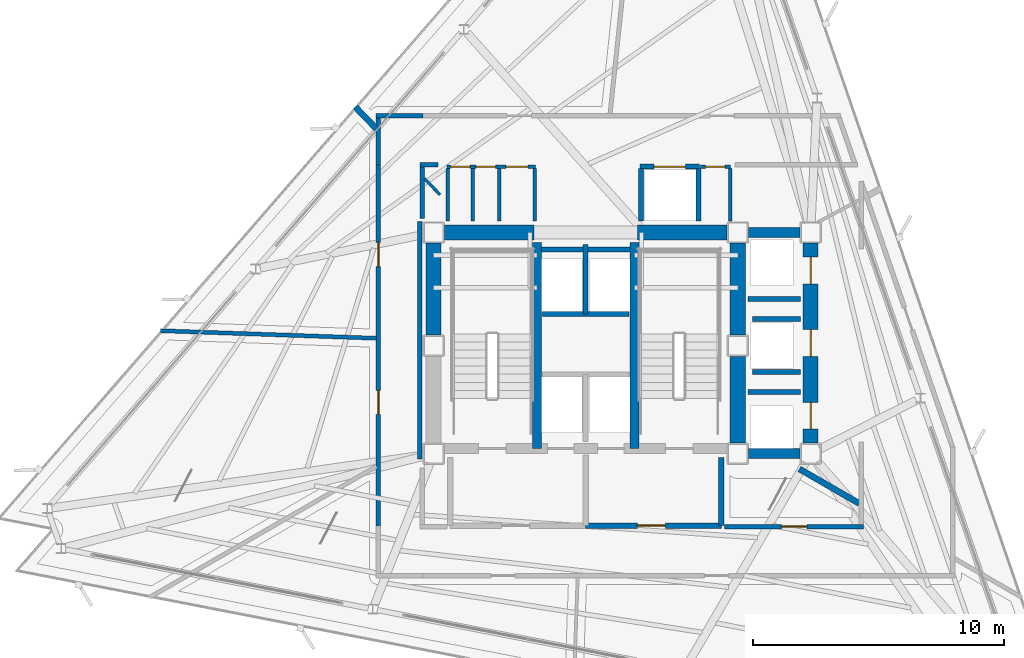
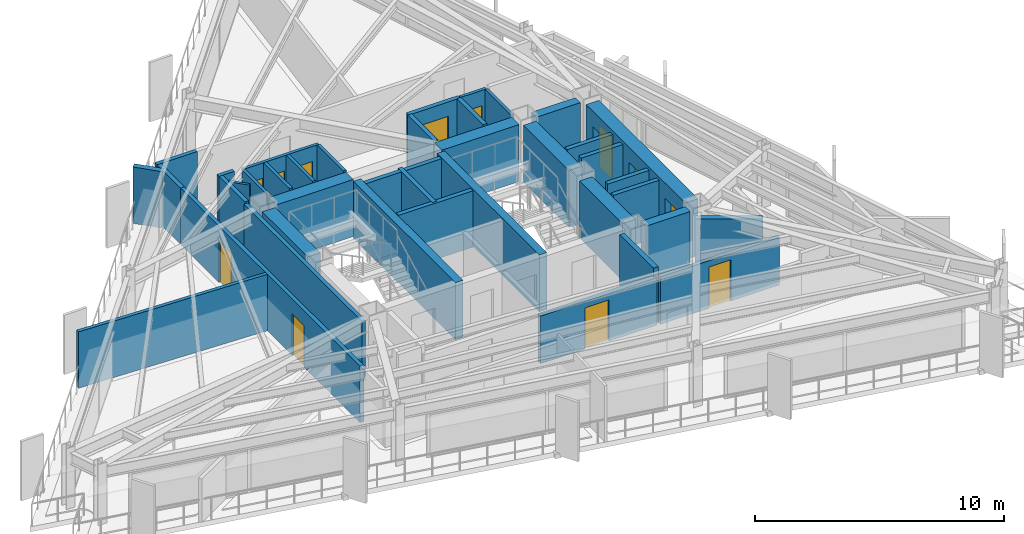
# One storey, part 9 of 13: 40 walls, 12 doors, 12 openings.
"""IFC4 building model written with IfcOpenShell, lengths in metres."""

from ifc_helpers import new_model, si_unit, direction, frame, frame_2d, origin, place, context, subcontext, project, spatial, rectangle, extrude, material, layer, layer_set, type_object, element, fill, save


model = new_model("IFC4")

# Units and contexts
model_context = context("Model", 3, precision=1e-05, world=origin(), true_north=direction((0.0, 1.0)))
body_context = subcontext(model_context, "Body", "Model", "MODEL_VIEW")
ifc_project = project(units=[si_unit("LENGTHUNIT", "METRE"), si_unit("AREAUNIT", "SQUARE_METRE"), si_unit("VOLUMEUNIT", "CUBIC_METRE"), si_unit("PLANEANGLEUNIT", "RADIAN"), si_unit("MASSUNIT", "GRAM", prefix="KILO")], contexts=[model_context])

# Site, building, storey
site_placement = place(None, origin())
site = spatial("IfcSite", under=ifc_project, at=site_placement, CompositionType="ELEMENT")
building_placement = place(site_placement, origin())
building = spatial("IfcBuilding", under=site, at=building_placement, Name="Rocaltana Carrier Exchange", CompositionType="ELEMENT")
storey_placement = place(building_placement, frame((0.0, 0.0, 165.43994140625)))
storey = spatial("IfcBuildingStorey", under=building, at=storey_placement, Name="L52", CompositionType="ELEMENT", Elevation=165.43994140625)

# Walls
ifc_material_1 = material(Name="Double Acoustic Gypsum Partition", Category="gypsum")
ifc_layer_1 = layer(ifc_material_1, 0.159912109375)
ifc_layer_set_1 = layer_set([ifc_layer_1], Name="Double Acoustic Gypsum Partition")
wall_type_1 = type_object("IfcWallType", Name="Acoustic Studio Partition 160 EI60", PredefinedType="PARTITIONING", material=ifc_layer_set_1)
wall_1_placement = place(storey_placement, frame((-8.330078125, 0.291015625, 0.0), z_axis=(0.0, 0.0, 1.0), x_axis=(-0.999390815976, 0.03489981294, 0.0)))
element("IfcWall", 1, at=wall_1_placement, inside=storey, type_object=wall_type_1, Name="L52 Suite Divider Wall D10", PredefinedType="PARTITIONING", context=body_context, shape_type="SweptSolid", body=[
    extrude(rectangle(XDim=8.59033203125, YDim=0.159912109375, at=frame_2d((4.295166015625, 0.0))), origin(), (0.0, 0.0, 1.0), 2.762939453125),
])
ifc_material_2 = material(Name="Concrete C50/60", Category="concrete")
ifc_layer_2 = layer(ifc_material_2, 0.35009765625)
ifc_layer_set_2 = layer_set([ifc_layer_2], Name="Concrete C50/60")
wall_type_2 = type_object("IfcWallType", Name="Core Internal Shear Wall 350", PredefinedType="SHEAR", material=ifc_layer_set_2)
for number, where, z_axis, x_axis, name in (
    (2, (-1.93994140625, -4.10009765625, 0.0), (0.0, 0.0, 1.0), (0.0, 1.0, 0.0), "L52 Core Shear Wall CW-STW"),
    (3, (1.93994140625, -4.10009765625, 0.0), (0.0, 0.0, 1.0), (0.0, 1.0, 0.0), "L52 Core Shear Wall CW-STE"),
):
    element("IfcWall", number, at=place(storey_placement, frame(where, z_axis=z_axis, x_axis=x_axis)), inside=storey, type_object=wall_type_2, Name=name, PredefinedType="SHEAR", context=body_context, shape_type="SweptSolid", body=[
        extrude(rectangle(XDim=8.2001953125, YDim=0.35009765625, at=frame_2d((4.10009765625, 0.0))), origin(), (0.0, 0.0, 1.0), 2.7880859375),
    ])
ifc_material_3 = material(Name="Concrete C50/60", Category="concrete")
ifc_layer_3 = layer(ifc_material_3, 0.39990234375)
ifc_layer_set_3 = layer_set([ifc_layer_3], Name="Concrete C50/60")
wall_type_3 = type_object("IfcWallType", Name="Core Internal Shear Wall 400", PredefinedType="SHEAR", material=ifc_layer_set_3)
for number, where, z_axis, x_axis, name in (
    (4, (6.47509765625, 4.5, 0.0), (0.0, 0.0, 1.0), (1.0, 0.0, 0.0), "L52 Core Shear Wall CW-EWN"),
    (5, (6.47509765625, -4.300048828125, 0.0), (0.0, 0.0, 1.0), (1.0, 0.0, 0.0), "L52 Core Shear Wall CW-EWS"),
):
    element("IfcWall", number, at=place(storey_placement, frame(where, z_axis=z_axis, x_axis=x_axis)), inside=storey, type_object=wall_type_3, Name=name, PredefinedType="SHEAR", context=body_context, shape_type="SweptSolid", body=[
        extrude(rectangle(XDim=2.0498046875, YDim=0.39990234375, at=frame_2d((1.02490234375, 0.0))), origin(), (0.0, 0.0, 1.0), 2.7880859375),
    ])
ifc_material_4 = material(Name="Concrete C50/60", Category="concrete")
ifc_layer_4 = layer(ifc_material_4, 0.60009765625)
ifc_layer_set_4 = layer_set([ifc_layer_4], Name="Concrete C50/60")
wall_type_4 = type_object("IfcWallType", Name="Core Shear Wall 600", PredefinedType="SHEAR", material=ifc_layer_set_4)
for number, where, z_axis, x_axis, name in (
    (6, (-6.050048828125, 0.425048828125, 0.0), (0.0, 0.0, 1.0), (0.0, 1.0, 0.0), "L52 Core Shear Wall CW-WN"),
    (7, (6.050048828125, 0.425048828125, 0.0), (0.0, 0.0, 1.0), (0.0, 1.0, 0.0), "L52 Core Shear Wall CW-EN"),
):
    element("IfcWall", number, at=place(storey_placement, frame(where, z_axis=z_axis, x_axis=x_axis)), inside=storey, type_object=wall_type_4, Name=name, PredefinedType="SHEAR", context=body_context, shape_type="SweptSolid", body=[
        extrude(rectangle(XDim=3.64990234375, YDim=0.60009765625, at=frame_2d((1.824951171875, 0.0))), origin(), (0.0, 0.0, 1.0), 2.7880859375),
    ])
wall_2_placement = place(storey_placement, frame((6.050048828125, -3.875, 0.0), z_axis=(0.0, 0.0, 1.0), x_axis=(0.0, 1.0, 0.0)))
element("IfcWall", 8, at=wall_2_placement, inside=storey, type_object=wall_type_4, Name="L52 Core Shear Wall CW-ES", PredefinedType="SHEAR", context=body_context, shape_type="SweptSolid", body=[
    extrude(rectangle(XDim=3.449951171875, YDim=0.60009765625, at=frame_2d((1.72509765625, 0.0))), origin(), (0.0, 0.0, 1.0), 2.7880859375),
])
for number, where, z_axis, x_axis, name in (
    (9, (-5.625, 4.5, 0.0), (0.0, 0.0, 1.0), (1.0, 0.0, 0.0), "L52 Core Shear Wall CW-N1"),
    (10, (2.050048828125, 4.5, 0.0), (0.0, 0.0, 1.0), (1.0, 0.0, 0.0), "L52 Core Shear Wall CW-N2"),
):
    element("IfcWall", number, at=place(storey_placement, frame(where, z_axis=z_axis, x_axis=x_axis)), inside=storey, type_object=wall_type_4, Name=name, PredefinedType="SHEAR", context=body_context, shape_type="SweptSolid", body=[
        extrude(rectangle(XDim=3.574951171875, YDim=0.60009765625, at=frame_2d((1.78759765625, 0.0))), origin(), (0.0, 0.0, 1.0), 2.7880859375),
    ])

# Wall, openings, doors
wall_3_placement = place(storey_placement, frame((8.949951171875, -3.875, 0.0), z_axis=(0.0, 0.0, 1.0), x_axis=(0.0, 1.0, 0.0)))
wall_3 = element("IfcWall", 11, at=wall_3_placement, inside=storey, type_object=wall_type_4, Name="L52 Core Shear Wall CW-EW", PredefinedType="SHEAR", context=body_context, shape_type="SweptSolid", body=[
    extrude(rectangle(XDim=7.949951171875, YDim=0.60009765625, at=frame_2d((3.97509765625, 0.0))), origin(), (0.0, 0.0, 1.0), 2.7880859375),
])
opening_1_placement = place(wall_3_placement, frame((0.550048828125, 0.0, 0.0)))
opening_1 = element("IfcOpeningElement", 12, at=opening_1_placement, cuts=wall_3, Name="Opening LD-110", PredefinedType="OPENING", context=body_context, shape_type="SweptSolid", body=[
    extrude(rectangle(XDim=1.06005859375, YDim=2.0400390625, at=frame_2d((0.530029296875, 1.02001953125))), frame((0.0, 0.31005859375, 0.0), z_axis=(0.0, -1.0, 0.0), x_axis=(1.0, 0.0, 0.0)), (0.0, 0.0, 1.0), 0.6201171875),
])
opening_2_placement = place(wall_3_placement, frame((3.445068359375, 0.0, 0.0)))
opening_2 = element("IfcOpeningElement", 13, at=opening_2_placement, cuts=wall_3, Name="Opening LD-110", PredefinedType="OPENING", context=body_context, shape_type="SweptSolid", body=[
    extrude(rectangle(XDim=1.06005859375, YDim=2.0400390625, at=frame_2d((0.530029296875, 1.02001953125))), frame((0.0, 0.31005859375, 0.0), z_axis=(0.0, -1.0, 0.0), x_axis=(1.0, 0.0, 0.0)), (0.0, 0.0, 1.0), 0.6201171875),
])
opening_3_placement = place(wall_3_placement, frame((6.330078125, 0.0, 0.0)))
opening_3 = element("IfcOpeningElement", 14, at=opening_3_placement, cuts=wall_3, Name="Opening LD-110", PredefinedType="OPENING", context=body_context, shape_type="SweptSolid", body=[
    extrude(rectangle(XDim=1.06005859375, YDim=2.0400390625, at=frame_2d((0.530029296875, 1.02001953125))), frame((0.0, 0.31005859375, 0.0), z_axis=(0.0, -1.0, 0.0), x_axis=(1.0, 0.0, 0.0)), (0.0, 0.0, 1.0), 0.6201171875),
])
ifc_material_5 = material(Name="Brushed Stainless Sliding Door Leaf", Category="steel")
door_type_1 = type_object("IfcDoorType", Name="Lift Landing Sliding Door 1060x2040", OperationType="NOTDEFINED", PredefinedType="DOOR", material=ifc_material_5)
door_1_placement = place(opening_1_placement, origin())
door_1 = element("IfcDoor", 15, at=door_1_placement, inside=storey, type_object=door_type_1, Name="L52 Mid-Rise Lift PL-M1 Landing Door", OperationType="SLIDING_TO_LEFT", OverallHeight=2.0400390625, OverallWidth=1.06005859375, PredefinedType="DOOR", context=body_context, shape_type="SweptSolid", body=[
    extrude(rectangle(XDim=1.06005859375, YDim=2.0400390625, at=frame_2d((0.530029296875, 1.02001953125))), frame((0.0, 0.02490234375, 0.0), z_axis=(0.0, -1.0, 0.0), x_axis=(1.0, 0.0, 0.0)), (0.0, 0.0, 1.0), 0.050048828125),
])
fill(opening_1, door_1)
door_2_placement = place(opening_2_placement, origin())
door_2 = element("IfcDoor", 16, at=door_2_placement, inside=storey, type_object=door_type_1, Name="L52 Mid-Rise Lift PL-M2 Landing Door", OperationType="SLIDING_TO_RIGHT", OverallHeight=2.0400390625, OverallWidth=1.06005859375, PredefinedType="DOOR", context=body_context, shape_type="SweptSolid", body=[
    extrude(rectangle(XDim=1.06005859375, YDim=2.0400390625, at=frame_2d((0.530029296875, 1.02001953125))), frame((0.0, 0.02490234375, 0.0), z_axis=(0.0, -1.0, 0.0), x_axis=(1.0, 0.0, 0.0)), (0.0, 0.0, 1.0), 0.050048828125),
])
fill(opening_2, door_2)
door_3_placement = place(opening_3_placement, origin())
door_3 = element("IfcDoor", 17, at=door_3_placement, inside=storey, type_object=door_type_1, Name="L52 Mid-Rise Lift PL-M3 Landing Door", OperationType="SLIDING_TO_LEFT", OverallHeight=2.0400390625, OverallWidth=1.06005859375, PredefinedType="DOOR", context=body_context, shape_type="SweptSolid", body=[
    extrude(rectangle(XDim=1.06005859375, YDim=2.0400390625, at=frame_2d((0.530029296875, 1.02001953125))), frame((0.0, 0.02490234375, 0.0), z_axis=(0.0, -1.0, 0.0), x_axis=(1.0, 0.0, 0.0)), (0.0, 0.0, 1.0), 0.050048828125),
])
fill(opening_3, door_3)

ifc_material_6 = material(Name="Gypsum & Steel Stud Partition", Category="steel")
ifc_layer_5 = layer(ifc_material_6, 0.179931640625)
ifc_layer_set_5 = layer_set([ifc_layer_5], Name="Gypsum & Steel Stud Partition")
wall_type_5 = type_object("IfcWallType", Name="Corridor Fire Partition 180 EI60", PredefinedType="PARTITIONING", material=ifc_layer_set_5)
wall_4_placement = place(storey_placement, frame((-8.25, -7.219970703125, 0.0), z_axis=(0.0, 0.0, 1.0), x_axis=(0.0, 1.0, 0.0)))
wall_4 = element("IfcWall", 18, at=wall_4_placement, inside=storey, type_object=wall_type_5, Name="L52 Corridor Partition 3", PredefinedType="PARTITIONING", context=body_context, shape_type="SweptSolid", body=[
    extrude(rectangle(XDim=14.43994140625, YDim=0.179931640625, at=frame_2d((7.219970703125, 0.0))), origin(), (0.0, 0.0, 1.0), 2.762939453125),
])
opening_4_placement = place(wall_4_placement, frame((4.478271484375, 0.0, 0.0)))
opening_4 = element("IfcOpeningElement", 19, at=opening_4_placement, cuts=wall_4, Name="Opening D-RM098", PredefinedType="OPENING", context=body_context, shape_type="SweptSolid", body=[
    extrude(rectangle(XDim=0.9599609375, YDim=2.02001953125, at=frame_2d((0.47998046875, 1.010009765625))), frame((0.0, 0.099853515625, 0.0), z_axis=(0.0, -1.0, 0.0), x_axis=(1.0, 0.0, 0.0)), (0.0, 0.0, 1.0), 0.199951171875),
])
opening_5_placement = place(wall_4_placement, frame((10.365234375, 0.0, 0.0)))
opening_5 = element("IfcOpeningElement", 20, at=opening_5_placement, cuts=wall_4, Name="Opening D-RM098", PredefinedType="OPENING", context=body_context, shape_type="SweptSolid", body=[
    extrude(rectangle(XDim=0.9599609375, YDim=2.02001953125, at=frame_2d((0.47998046875, 1.010009765625))), frame((0.0, 0.099853515625, 0.0), z_axis=(0.0, -1.0, 0.0), x_axis=(1.0, 0.0, 0.0)), (0.0, 0.0, 1.0), 0.199951171875),
])
ifc_material_7 = material(Name="Engineered Hardwood Timber", Category="wood")
door_type_2 = type_object("IfcDoorType", Name="Workspace Single Door 960x2020", OperationType="NOTDEFINED", PredefinedType="DOOR", material=ifc_material_7)
door_4_placement = place(opening_4_placement, origin())
door_4 = element("IfcDoor", 21, at=door_4_placement, inside=storey, type_object=door_type_2, Name="L52 Quiet Focus Lounge Entrance Door", OperationType="SINGLE_SWING_RIGHT", OverallHeight=2.02001953125, OverallWidth=0.9599609375, PredefinedType="DOOR", context=body_context, shape_type="SweptSolid", body=[
    extrude(rectangle(XDim=0.9599609375, YDim=2.02001953125, at=frame_2d((0.47998046875, 1.010009765625))), frame((0.0, 0.02490234375, 0.0), z_axis=(0.0, -1.0, 0.0), x_axis=(1.0, 0.0, 0.0)), (0.0, 0.0, 1.0), 0.050048828125),
])
fill(opening_4, door_4)
door_5_placement = place(opening_5_placement, origin())
door_5 = element("IfcDoor", 22, at=door_5_placement, inside=storey, type_object=door_type_2, Name="L52 Quiet Focus Lounge Entrance Door", OperationType="SINGLE_SWING_LEFT", OverallHeight=2.02001953125, OverallWidth=0.9599609375, PredefinedType="DOOR", context=body_context, shape_type="SweptSolid", body=[
    extrude(rectangle(XDim=0.9599609375, YDim=2.02001953125, at=frame_2d((0.47998046875, 1.010009765625))), frame((0.0, 0.02490234375, 0.0), z_axis=(0.0, -1.0, 0.0), x_axis=(1.0, 0.0, 0.0)), (0.0, 0.0, 1.0), 0.050048828125),
])
fill(opening_5, door_5)

# Walls
wall_5_placement = place(storey_placement, frame((-8.25, 7.179931640625, 0.0), z_axis=(0.0, 0.0, 1.0), x_axis=(0.0, 1.0, 0.0)))
element("IfcWall", 23, at=wall_5_placement, inside=storey, type_object=wall_type_5, Name="L52 Corridor Partition 4", PredefinedType="PARTITIONING", context=body_context, shape_type="SweptSolid", body=[
    extrude(rectangle(XDim=1.880126953125, YDim=0.179931640625, at=frame_2d((0.93994140625, 0.0))), origin(), (0.0, 0.0, 1.0), 2.762939453125),
])
wall_6_placement = place(storey_placement, frame((-8.340087890625, 9.14990234375, 0.0), z_axis=(0.0, 0.0, 1.0), x_axis=(1.0, 0.0, 0.0)))
element("IfcWall", 24, at=wall_6_placement, inside=storey, type_object=wall_type_5, Name="L52 Corridor Partition 5", PredefinedType="PARTITIONING", context=body_context, shape_type="SweptSolid", body=[
    extrude(rectangle(XDim=1.860107421875, YDim=0.179931640625, at=frame_2d((0.93017578125, 0.0))), origin(), (0.0, 0.0, 1.0), 2.762939453125),
])
wall_7_placement = place(storey_placement, frame((-5.8798828125, 7.199951171875, 0.0), z_axis=(0.0, 0.0, 1.0), x_axis=(-1.0, 0.0, 0.0)))
element("IfcWall", 25, at=wall_7_placement, inside=storey, type_object=wall_type_5, Name="L52 Corridor Partition 9", PredefinedType="PARTITIONING", context=body_context, shape_type="SweptSolid", body=[
    extrude(rectangle(XDim=0.710205078125, YDim=0.179931640625, at=frame_2d((0.35498046875, 0.0))), origin(), (0.0, 0.0, 1.0), 2.762939453125),
])
wall_8_placement = place(storey_placement, frame((-6.5, 7.110107421875, 0.0), z_axis=(0.0, 0.0, 1.0), x_axis=(0.0, -1.0, 0.0)))
element("IfcWall", 26, at=wall_8_placement, inside=storey, type_object=wall_type_5, Name="L52 Corridor Partition 10", PredefinedType="PARTITIONING", context=body_context, shape_type="SweptSolid", body=[
    extrude(rectangle(XDim=2.058349609375, YDim=0.179931640625, at=frame_2d((1.029296875, 0.0))), origin(), (0.0, 0.0, 1.0), 2.762939453125),
])
wall_9_placement = place(storey_placement, frame((-6.610107421875, 4.93994140625, 0.0), z_axis=(0.0, 0.0, 1.0), x_axis=(0.0, -1.0, 0.0)))
element("IfcWall", 27, at=wall_9_placement, inside=storey, type_object=wall_type_5, Name="L52 Corridor Partition 11", PredefinedType="PARTITIONING", context=body_context, shape_type="SweptSolid", body=[
    extrude(rectangle(XDim=9.4599609375, YDim=0.179931640625, at=frame_2d((4.72998046875, 0.0))), origin(), (0.0, 0.0, 1.0), 2.762939453125),
])

# Wall, opening, door
wall_10_placement = place(storey_placement, frame((5.530029296875, -7.199951171875, 0.0), z_axis=(0.0, 0.0, 1.0), x_axis=(1.0, 0.0, 0.0)))
wall_10 = element("IfcWall", 28, at=wall_10_placement, inside=storey, type_object=wall_type_5, Name="L52 Corridor Partition 14", PredefinedType="PARTITIONING", context=body_context, shape_type="SweptSolid", body=[
    extrude(rectangle(XDim=5.52001953125, YDim=0.179931640625, at=frame_2d((2.760009765625, 0.0))), origin(), (0.0, 0.0, 1.0), 2.330078125),
])
opening_6_placement = place(wall_10_placement, frame((2.25, 0.0, 0.0)))
opening_6 = element("IfcOpeningElement", 29, at=opening_6_placement, cuts=wall_10, Name="Opening D-LB104", PredefinedType="OPENING", context=body_context, shape_type="SweptSolid", body=[
    extrude(rectangle(XDim=1.02001953125, YDim=2.02001953125, at=frame_2d((0.510009765625, 1.010009765625))), frame((0.0, 0.099853515625, 0.0), z_axis=(0.0, -1.0, 0.0), x_axis=(1.0, 0.0, 0.0)), (0.0, 0.0, 1.0), 0.199951171875),
])
ifc_material_8 = material(Name="Powder-Coated Aluminium 6063-T6", Category="aluminium")
door_type_3 = type_object("IfcDoorType", Name="Laboratory Acoustic Door 1020x2020", OperationType="NOTDEFINED", PredefinedType="DOOR", material=ifc_material_8)
door_6_placement = place(opening_6_placement, origin())
door_6 = element("IfcDoor", 30, at=door_6_placement, inside=storey, type_object=door_type_3, Name="L52 Optical Switching Laboratory Entrance Door", OperationType="SINGLE_SWING_LEFT", OverallHeight=2.02001953125, OverallWidth=1.02001953125, PredefinedType="DOOR", context=body_context, shape_type="SweptSolid", body=[
    extrude(rectangle(XDim=1.02001953125, YDim=2.02001953125, at=frame_2d((0.510009765625, 1.010009765625))), frame((0.0, 0.02490234375, 0.0), z_axis=(0.0, -1.0, 0.0), x_axis=(1.0, 0.0, 0.0)), (0.0, 0.0, 1.0), 0.050048828125),
])
fill(opening_6, door_6)

# Walls
ifc_material_9 = material(Name="Aluminium 6063-T6 & Acoustic Glass", Category="aluminium")
ifc_layer_6 = layer(ifc_material_9, 0.114990234375)
ifc_layer_set_6 = layer_set([ifc_layer_6], Name="Aluminium 6063-T6 & Acoustic Glass")
wall_type_6 = type_object("IfcWallType", Name="Demountable Glazed Lab Partition 115", PredefinedType="MOVABLE", material=ifc_layer_set_6)
wall_11_placement = place(storey_placement, frame((-5.800048828125, 6.006103515625, 0.0), z_axis=(0.0, 0.0, 1.0), x_axis=(-0.694550575615, 0.719443881003, 0.0)))
element("IfcWall", 31, at=wall_11_placement, inside=storey, type_object=wall_type_6, Name="L52 Suite Divider Wall D8", PredefinedType="MOVABLE", context=body_context, shape_type="SweptSolid", body=[
    extrude(rectangle(XDim=0.892578125, YDim=0.114990234375, at=frame_2d((0.4462890625, 0.0))), origin(), (0.0, 0.0, 1.0), 2.762939453125),
])
ifc_material_10 = material(Name="Autoclaved Aerated Concrete C30/37", Category="concrete")
ifc_layer_7 = layer(ifc_material_10, 0.219970703125)
ifc_layer_set_7 = layer_set([ifc_layer_7], Name="Autoclaved Aerated Concrete C30/37")
wall_type_7 = type_object("IfcWallType", Name="Firefighting Lobby Wall 220 EI120", PredefinedType="PARTITIONING", material=ifc_layer_set_7)
wall_12_placement = place(storey_placement, frame((5.39990234375, -7.159912109375, 0.0), z_axis=(0.0, 0.0, 1.0), x_axis=(0.0, 1.0, 0.0)))
element("IfcWall", 32, at=wall_12_placement, inside=storey, type_object=wall_type_7, Name="L52 FFL Lobby 2 East Wall", PredefinedType="PARTITIONING", context=body_context, shape_type="SweptSolid", body=[
    extrude(rectangle(XDim=2.7099609375, YDim=0.219970703125, at=frame_2d((1.35498046875, 0.0))), origin(), (0.0, 0.0, 1.0), 2.762939453125),
])

# Wall, opening, door
wall_13_placement = place(storey_placement, frame((0.0, -7.159912109375, 0.0), z_axis=(0.0, 0.0, 1.0), x_axis=(1.0, 0.0, 0.0)))
wall_13 = element("IfcWall", 33, at=wall_13_placement, inside=storey, type_object=wall_type_7, Name="L52 FFL Lobby 2 South Wall", PredefinedType="PARTITIONING", context=body_context, shape_type="SweptSolid", body=[
    extrude(rectangle(XDim=5.39990234375, YDim=0.219970703125, at=frame_2d((2.699951171875, 0.0))), origin(), (0.0, 0.0, 1.0), 2.330078125),
])
opening_7_placement = place(wall_13_placement, frame((2.050048828125, 0.0, 0.0)))
opening_7 = element("IfcOpeningElement", 34, at=opening_7_placement, cuts=wall_13, Name="Opening D-FF115", PredefinedType="OPENING", context=body_context, shape_type="SweptSolid", body=[
    extrude(rectangle(XDim=1.1201171875, YDim=2.02001953125, at=frame_2d((0.56005859375, 1.010009765625))), frame((0.0, 0.119873046875, 0.0), z_axis=(0.0, -1.0, 0.0), x_axis=(1.0, 0.0, 0.0)), (0.0, 0.0, 1.0), 0.239990234375),
])
ifc_material_11 = material(Name="Hollow Metal Fire Door Assembly", Category="steel")
door_type_4 = type_object("IfcDoorType", Name="Firefighting Lobby Door 1120x2020 FD60S", OperationType="NOTDEFINED", PredefinedType="DOOR", material=ifc_material_11)
door_7_placement = place(opening_7_placement, origin())
door_7 = element("IfcDoor", 35, at=door_7_placement, inside=storey, type_object=door_type_4, Name="L52 Firefighting Lift Lobby 2 Door", OperationType="SINGLE_SWING_LEFT", OverallHeight=2.02001953125, OverallWidth=1.1201171875, PredefinedType="DOOR", context=body_context, shape_type="SweptSolid", body=[
    extrude(rectangle(XDim=1.1201171875, YDim=2.02001953125, at=frame_2d((0.56005859375, 1.010009765625))), frame((0.0, 0.02490234375, 0.0), z_axis=(0.0, -1.0, 0.0), x_axis=(1.0, 0.0, 0.0)), (0.0, 0.0, 1.0), 0.050048828125),
])
fill(opening_7, door_7)

# Walls
ifc_material_12 = material(Name="Acoustic Calcium Silicate Partition", Category="gypsum")
ifc_layer_8 = layer(ifc_material_12, 0.239990234375)
ifc_layer_set_8 = layer_set([ifc_layer_8], Name="Acoustic Calcium Silicate Partition")
wall_type_8 = type_object("IfcWallType", Name="Heavy Lab Partition 240 EI90", PredefinedType="PARTITIONING", material=ifc_layer_set_8)
wall_14_placement = place(storey_placement, frame((8.50439453125, -4.909912109375, 0.0), z_axis=(0.0, 0.0, 1.0), x_axis=(0.866010685746, -0.500025491523, 0.0)))
element("IfcWall", 36, at=wall_14_placement, inside=storey, type_object=wall_type_8, Name="L52 Suite Divider Wall D3", PredefinedType="PARTITIONING", context=body_context, shape_type="SweptSolid", body=[
    extrude(rectangle(XDim=2.742919921875, YDim=0.239990234375, at=frame_2d((1.37158203125, 0.0))), origin(), (0.0, 0.0, 1.0), 2.762939453125),
])
wall_15_placement = place(storey_placement, frame((-8.330078125, 8.6259765625, 0.0), z_axis=(0.0, 0.0, 1.0), x_axis=(-0.694612484143, 0.719384109411, 0.0)))
element("IfcWall", 37, at=wall_15_placement, inside=storey, type_object=wall_type_8, Name="L52 Suite Divider Wall D9", PredefinedType="PARTITIONING", context=body_context, shape_type="SweptSolid", body=[
    extrude(rectangle(XDim=1.212158203125, YDim=0.239990234375, at=frame_2d((0.60595703125, 0.0))), origin(), (0.0, 0.0, 1.0), 2.762939453125),
])
ifc_material_13 = material(Name="Reinforced Concrete Block C35/45", Category="concrete")
ifc_layer_9 = layer(ifc_material_13, 0.199951171875)
ifc_layer_set_9 = layer_set([ifc_layer_9], Name="Reinforced Concrete Block C35/45")
wall_type_9 = type_object("IfcWallType", Name="Lift Hoistway Enclosure Wall 200 EI120", PredefinedType="PARTITIONING", material=ifc_layer_set_9)
wall_16_placement = place(storey_placement, frame((0.0, 1.25, 0.0), z_axis=(0.0, 0.0, 1.0), x_axis=(0.0, 1.0, 0.0)))
element("IfcWall", 38, at=wall_16_placement, inside=storey, type_object=wall_type_9, Name="L52 High-Rise Shaft Divider", PredefinedType="PARTITIONING", context=body_context, shape_type="SweptSolid", body=[
    extrude(rectangle(XDim=2.77001953125, YDim=0.199951171875, at=frame_2d((1.385009765625, 0.0))), origin(), (0.0, 0.0, 1.0), 2.762939453125),
])
wall_17_placement = place(storey_placement, frame((-1.719970703125, 1.25, 0.0), z_axis=(0.0, 0.0, 1.0), x_axis=(1.0, 0.0, 0.0)))
element("IfcWall", 39, at=wall_17_placement, inside=storey, type_object=wall_type_9, Name="L52 High-Rise Shaft Back Wall", PredefinedType="PARTITIONING", context=body_context, shape_type="SweptSolid", body=[
    extrude(rectangle(XDim=3.43994140625, YDim=0.199951171875, at=frame_2d((1.719970703125, 0.0))), origin(), (0.0, 0.0, 1.0), 2.762939453125),
])
wall_18_placement = place(storey_placement, frame((-1.760009765625, 3.820068359375, 0.0), z_axis=(0.0, 0.0, 1.0), x_axis=(1.0, 0.0, 0.0)))
element("IfcWall", 40, at=wall_18_placement, inside=storey, type_object=wall_type_9, Name="L52 High-Rise Lift Front Wall", PredefinedType="PARTITIONING", context=body_context, shape_type="SweptSolid", body=[
    extrude(rectangle(XDim=3.52001953125, YDim=0.199951171875, at=frame_2d((1.760009765625, 0.0))), origin(), (0.0, 0.0, 1.0), 2.762939453125),
])
for number, where, z_axis, x_axis, name in (
    (41, (2.199951171875, 4.949951171875, 0.0), (0.0, 0.0, 1.0), (0.0, 1.0, 0.0), "L52 Goods Lift West Wall"),
    (42, (4.47998046875, 4.949951171875, 0.0), (0.0, 0.0, 1.0), (0.0, 1.0, 0.0), "L52 Goods Lift East Wall"),
):
    element("IfcWall", number, at=place(storey_placement, frame(where, z_axis=z_axis, x_axis=x_axis)), inside=storey, type_object=wall_type_9, Name=name, PredefinedType="PARTITIONING", context=body_context, shape_type="SweptSolid", body=[
        extrude(rectangle(XDim=2.10009765625, YDim=0.199951171875, at=frame_2d((1.050048828125, 0.0))), origin(), (0.0, 0.0, 1.0), 2.762939453125),
    ])

# Wall, opening, door
wall_19_placement = place(storey_placement, frame((2.14990234375, 7.1201171875, 0.0), z_axis=(0.0, 0.0, 1.0), x_axis=(1.0, 0.0, 0.0)))
wall_19 = element("IfcWall", 43, at=wall_19_placement, inside=storey, type_object=wall_type_9, Name="L52 Goods Lift Front Wall", PredefinedType="PARTITIONING", context=body_context, shape_type="SweptSolid", body=[
    extrude(rectangle(XDim=2.380126953125, YDim=0.199951171875, at=frame_2d((1.18994140625, 0.0))), origin(), (0.0, 0.0, 1.0), 2.762939453125),
])
opening_8_placement = place(wall_19_placement, frame((0.56005859375, 0.0, 0.0)))
opening_8 = element("IfcOpeningElement", 44, at=opening_8_placement, cuts=wall_19, Name="Opening LD-130", PredefinedType="OPENING", context=body_context, shape_type="SweptSolid", body=[
    extrude(rectangle(XDim=1.260009765625, YDim=2.06005859375, at=frame_2d((0.6298828125, 1.030029296875))), frame((0.0, 0.10986328125, 0.0), z_axis=(0.0, -1.0, 0.0), x_axis=(1.0, 0.0, 0.0)), (0.0, 0.0, 1.0), 0.219970703125),
])
ifc_material_14 = material(Name="Brushed Stainless Sliding Door Leaf", Category="steel")
door_type_5 = type_object("IfcDoorType", Name="Goods Lift Landing Sliding Door 1260x2060", OperationType="NOTDEFINED", PredefinedType="DOOR", material=ifc_material_14)
door_8_placement = place(opening_8_placement, origin())
door_8 = element("IfcDoor", 45, at=door_8_placement, inside=storey, type_object=door_type_5, Name="L52 Goods Lift GL-1 Landing Door", OperationType="SLIDING_TO_LEFT", OverallHeight=2.06005859375, OverallWidth=1.260009765625, PredefinedType="DOOR", context=body_context, shape_type="SweptSolid", body=[
    extrude(rectangle(XDim=1.260009765625, YDim=2.06005859375, at=frame_2d((0.6298828125, 1.030029296875))), frame((0.0, 0.02490234375, 0.0), z_axis=(0.0, -1.0, 0.0), x_axis=(1.0, 0.0, 0.0)), (0.0, 0.0, 1.0), 0.050048828125),
])
fill(opening_8, door_8)

# Walls
for number, where, z_axis, x_axis, name in (
    (46, (6.449951171875, -1.85009765625, 0.0), (0.0, 0.0, 1.0), (1.0, 0.0, 0.0), "L52 Mid-Rise Shaft Divider 1"),
    (47, (6.449951171875, 1.85009765625, 0.0), (0.0, 0.0, 1.0), (1.0, 0.0, 0.0), "L52 Mid-Rise Shaft Divider 2"),
):
    element("IfcWall", number, at=place(storey_placement, frame(where, z_axis=z_axis, x_axis=x_axis)), inside=storey, type_object=wall_type_9, Name=name, PredefinedType="PARTITIONING", context=body_context, shape_type="SweptSolid", body=[
        extrude(rectangle(XDim=2.10009765625, YDim=0.199951171875, at=frame_2d((1.050048828125, 0.0))), origin(), (0.0, 0.0, 1.0), 2.762939453125),
    ])
for number, where, z_axis, x_axis, name in (
    (48, (6.639892578125, -1.050048828125, 0.0), (0.0, 0.0, 1.0), (1.0, 0.0, 0.0), "L52 Mid-Rise Center Shaft Wall South"),
    (49, (6.639892578125, 1.050048828125, 0.0), (0.0, 0.0, 1.0), (1.0, 0.0, 0.0), "L52 Mid-Rise Center Shaft Wall North"),
):
    element("IfcWall", number, at=place(storey_placement, frame(where, z_axis=z_axis, x_axis=x_axis)), inside=storey, type_object=wall_type_9, Name=name, PredefinedType="PARTITIONING", context=body_context, shape_type="SweptSolid", body=[
        extrude(rectangle(XDim=1.91015625, YDim=0.199951171875, at=frame_2d((0.955078125, 0.0))), origin(), (0.0, 0.0, 1.0), 2.762939453125),
    ])
ifc_material_15 = material(Name="Moisture-Resistant Masonry C30/37", Category="masonry")
ifc_layer_10 = layer(ifc_material_15, 0.139892578125)
ifc_layer_set_10 = layer_set([ifc_layer_10], Name="Moisture-Resistant Masonry C30/37")
wall_type_10 = type_object("IfcWallType", Name="Wet-Area Sanitary Partition 140", PredefinedType="PARTITIONING", material=ifc_layer_set_10)
for number, where, z_axis, x_axis, name in (
    (50, (-5.5, 4.949951171875, 0.0), (0.0, 0.0, 1.0), (0.0, 1.0, 0.0), "L52 Sanitary West Wall"),
    (51, (-4.5, 4.949951171875, 0.0), (0.0, 0.0, 1.0), (0.0, 1.0, 0.0), "L52 Sanitary Divider 1"),
    (52, (-3.449951171875, 4.949951171875, 0.0), (0.0, 0.0, 1.0), (0.0, 1.0, 0.0), "L52 Sanitary Divider 2"),
    (53, (-2.02001953125, 4.949951171875, 0.0), (0.0, 0.0, 1.0), (0.0, 1.0, 0.0), "L52 Sanitary East Wall"),
):
    element("IfcWall", number, at=place(storey_placement, frame(where, z_axis=z_axis, x_axis=x_axis)), inside=storey, type_object=wall_type_10, Name=name, PredefinedType="PARTITIONING", context=body_context, shape_type="SweptSolid", body=[
        extrude(rectangle(XDim=2.10009765625, YDim=0.139892578125, at=frame_2d((1.050048828125, 0.0))), origin(), (0.0, 0.0, 1.0), 2.762939453125),
    ])

# Wall, openings, doors
wall_20_placement = place(storey_placement, frame((-5.52001953125, 7.1201171875, 0.0), z_axis=(0.0, 0.0, 1.0), x_axis=(1.0, 0.0, 0.0)))
wall_20 = element("IfcWall", 54, at=wall_20_placement, inside=storey, type_object=wall_type_10, Name="L52 Sanitary North Wall", PredefinedType="PARTITIONING", context=body_context, shape_type="SweptSolid", body=[
    extrude(rectangle(XDim=3.52001953125, YDim=0.139892578125, at=frame_2d((1.760009765625, 0.0))), origin(), (0.0, 0.0, 1.0), 2.762939453125),
])
opening_9_placement = place(wall_20_placement, frame((0.139892578125, 0.0, 0.0)))
opening_9 = element("IfcOpeningElement", 55, at=opening_9_placement, cuts=wall_20, Name="Opening D-RS082", PredefinedType="OPENING", context=body_context, shape_type="SweptSolid", body=[
    extrude(rectangle(XDim=0.780029296875, YDim=2.010009765625, at=frame_2d((0.39013671875, 1.0048828125))), frame((0.0, 0.079833984375, 0.0), z_axis=(0.0, -1.0, 0.0), x_axis=(1.0, 0.0, 0.0)), (0.0, 0.0, 1.0), 0.159912109375),
])
opening_10_placement = place(wall_20_placement, frame((1.14990234375, 0.0, 0.0)))
opening_10 = element("IfcOpeningElement", 56, at=opening_10_placement, cuts=wall_20, Name="Opening D-RS082", PredefinedType="OPENING", context=body_context, shape_type="SweptSolid", body=[
    extrude(rectangle(XDim=0.780029296875, YDim=2.010009765625, at=frame_2d((0.39013671875, 1.0048828125))), frame((0.0, 0.079833984375, 0.0), z_axis=(0.0, -1.0, 0.0), x_axis=(1.0, 0.0, 0.0)), (0.0, 0.0, 1.0), 0.159912109375),
])
opening_11_placement = place(wall_20_placement, frame((2.340087890625, 0.0, 0.0)))
opening_11 = element("IfcOpeningElement", 57, at=opening_11_placement, cuts=wall_20, Name="Opening D-WC090", PredefinedType="OPENING", context=body_context, shape_type="SweptSolid", body=[
    extrude(rectangle(XDim=0.8798828125, YDim=2.02001953125, at=frame_2d((0.43994140625, 1.010009765625))), frame((0.0, 0.079833984375, 0.0), z_axis=(0.0, -1.0, 0.0), x_axis=(1.0, 0.0, 0.0)), (0.0, 0.0, 1.0), 0.159912109375),
])
ifc_material_16 = material(Name="High-Pressure Laminate Timber", Category="wood")
door_type_6 = type_object("IfcDoorType", Name="Restroom & Accessible WC Door 880x2020", OperationType="NOTDEFINED", PredefinedType="DOOR", material=ifc_material_16)
door_9_placement = place(opening_11_placement, origin())
door_9 = element("IfcDoor", 58, at=door_9_placement, inside=storey, type_object=door_type_6, Name="L52 Accessible Toilet Door", OperationType="SINGLE_SWING_RIGHT", OverallHeight=2.02001953125, OverallWidth=0.8798828125, PredefinedType="DOOR", context=body_context, shape_type="SweptSolid", body=[
    extrude(rectangle(XDim=0.8798828125, YDim=2.02001953125, at=frame_2d((0.43994140625, 1.010009765625))), frame((0.0, 0.02490234375, 0.0), z_axis=(0.0, -1.0, 0.0), x_axis=(1.0, 0.0, 0.0)), (0.0, 0.0, 1.0), 0.050048828125),
])
fill(opening_11, door_9)
ifc_material_17 = material(Name="Hollow Metal Access Door Leaf", Category="steel")
door_type_7 = type_object("IfcDoorType", Name="Riser & Service Closet Door 780x2010", OperationType="NOTDEFINED", PredefinedType="DOOR", material=ifc_material_17)
door_10_placement = place(opening_9_placement, origin())
door_10 = element("IfcDoor", 59, at=door_10_placement, inside=storey, type_object=door_type_7, Name="L52 Cleaner Store Door", OperationType="SINGLE_SWING_RIGHT", OverallHeight=2.010009765625, OverallWidth=0.780029296875, PredefinedType="DOOR", context=body_context, shape_type="SweptSolid", body=[
    extrude(rectangle(XDim=0.780029296875, YDim=2.010009765625, at=frame_2d((0.39013671875, 1.0048828125))), frame((0.0, 0.02490234375, 0.0), z_axis=(0.0, -1.0, 0.0), x_axis=(1.0, 0.0, 0.0)), (0.0, 0.0, 1.0), 0.050048828125),
])
fill(opening_9, door_10)
door_11_placement = place(opening_10_placement, origin())
door_11 = element("IfcDoor", 60, at=door_11_placement, inside=storey, type_object=door_type_7, Name="L52 Staff Restroom Door", OperationType="SINGLE_SWING_LEFT", OverallHeight=2.010009765625, OverallWidth=0.780029296875, PredefinedType="DOOR", context=body_context, shape_type="SweptSolid", body=[
    extrude(rectangle(XDim=0.780029296875, YDim=2.010009765625, at=frame_2d((0.39013671875, 1.0048828125))), frame((0.0, 0.02490234375, 0.0), z_axis=(0.0, -1.0, 0.0), x_axis=(1.0, 0.0, 0.0)), (0.0, 0.0, 1.0), 0.050048828125),
])
fill(opening_10, door_11)

# Wall
wall_21_placement = place(storey_placement, frame((5.760009765625, 4.949951171875, 0.0), z_axis=(0.0, 0.0, 1.0), x_axis=(0.0, 1.0, 0.0)))
element("IfcWall", 61, at=wall_21_placement, inside=storey, type_object=wall_type_10, Name="L52 Riser East Wall", PredefinedType="PARTITIONING", context=body_context, shape_type="SweptSolid", body=[
    extrude(rectangle(XDim=2.10009765625, YDim=0.139892578125, at=frame_2d((1.050048828125, 0.0))), origin(), (0.0, 0.0, 1.0), 2.762939453125),
])

# Wall, opening, door
wall_22_placement = place(storey_placement, frame((4.56005859375, 7.1201171875, 0.0), z_axis=(0.0, 0.0, 1.0), x_axis=(1.0, 0.0, 0.0)))
wall_22 = element("IfcWall", 62, at=wall_22_placement, inside=storey, type_object=wall_type_10, Name="L52 Riser North Wall", PredefinedType="PARTITIONING", context=body_context, shape_type="SweptSolid", body=[
    extrude(rectangle(XDim=1.199951171875, YDim=0.139892578125, at=frame_2d((0.60009765625, 0.0))), origin(), (0.0, 0.0, 1.0), 2.762939453125),
])
opening_12_placement = place(wall_22_placement, frame((0.2099609375, 0.0, 0.0)))
opening_12 = element("IfcOpeningElement", 63, at=opening_12_placement, cuts=wall_22, Name="Opening D-RS082", PredefinedType="OPENING", context=body_context, shape_type="SweptSolid", body=[
    extrude(rectangle(XDim=0.780029296875, YDim=2.010009765625, at=frame_2d((0.39013671875, 1.0048828125))), frame((0.0, 0.079833984375, 0.0), z_axis=(0.0, -1.0, 0.0), x_axis=(1.0, 0.0, 0.0)), (0.0, 0.0, 1.0), 0.159912109375),
])
door_12_placement = place(opening_12_placement, origin())
door_12 = element("IfcDoor", 64, at=door_12_placement, inside=storey, type_object=door_type_7, Name="L52 Signal Riser Closet Door", OperationType="SINGLE_SWING_LEFT", OverallHeight=2.010009765625, OverallWidth=0.780029296875, PredefinedType="DOOR", context=body_context, shape_type="SweptSolid", body=[
    extrude(rectangle(XDim=0.780029296875, YDim=2.010009765625, at=frame_2d((0.39013671875, 1.0048828125))), frame((0.0, 0.02490234375, 0.0), z_axis=(0.0, -1.0, 0.0), x_axis=(1.0, 0.0, 0.0)), (0.0, 0.0, 1.0), 0.050048828125),
])
fill(opening_12, door_12)

save(model, "model.ifc")
